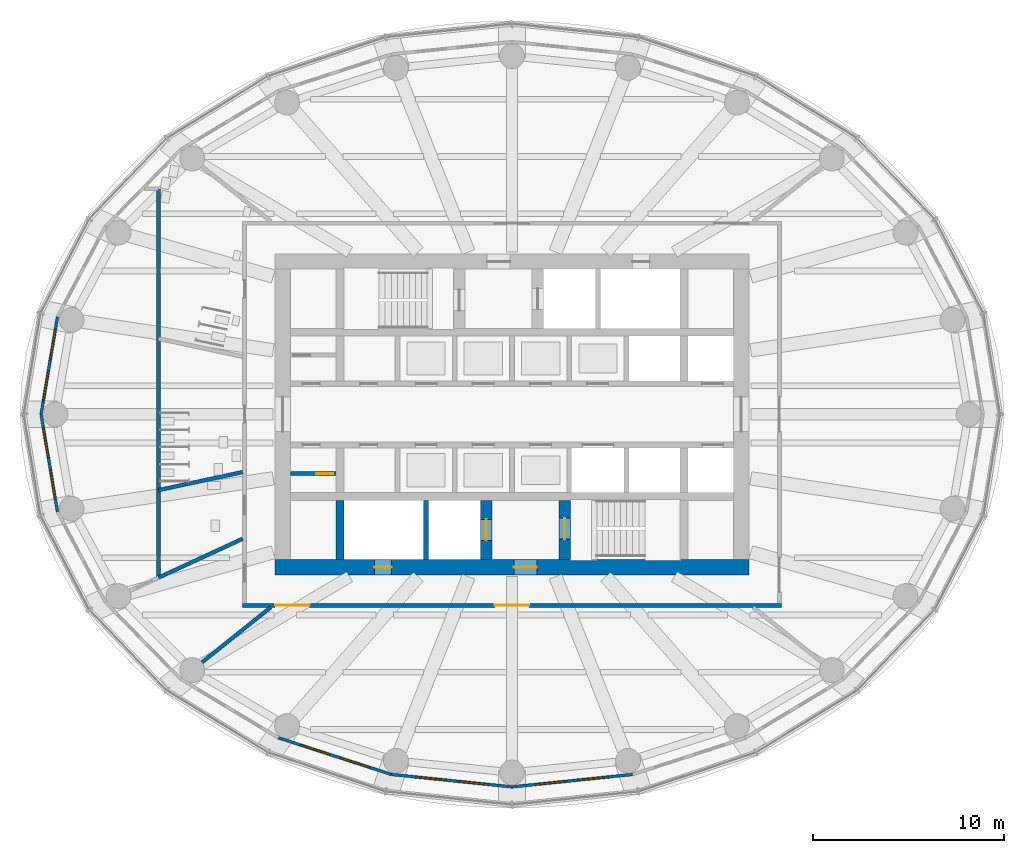
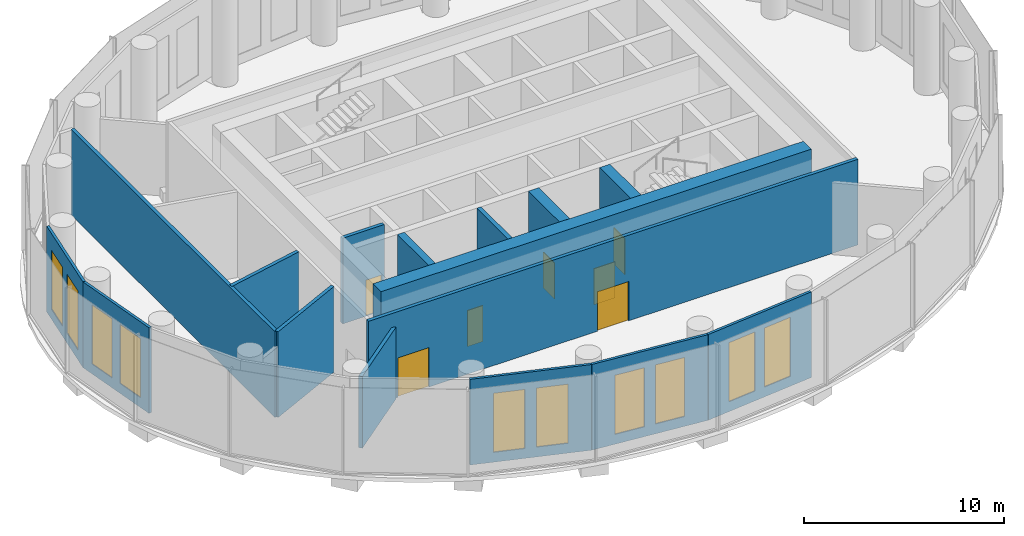
# One storey, part 5 of 13: 16 walls, 10 windows, 7 doors, 17 openings.
"""IFC4 building model written with IfcOpenShell, lengths in metres."""

from ifc_helpers import new_model, si_unit, direction, frame, frame_2d, origin, place, context, subcontext, project, spatial, rectangle, extrude, material, layer, layer_set, type_object, element, fill, save


model = new_model("IFC4")

# Units and contexts
model_context = context("Model", 3, precision=1e-05, world=origin(), true_north=direction((0.0, 1.0)))
body_context = subcontext(model_context, "Body", "Model", "MODEL_VIEW")
ifc_project = project(units=[si_unit("LENGTHUNIT", "METRE"), si_unit("AREAUNIT", "SQUARE_METRE"), si_unit("VOLUMEUNIT", "CUBIC_METRE"), si_unit("PLANEANGLEUNIT", "RADIAN"), si_unit("MASSUNIT", "GRAM", prefix="KILO")], contexts=[model_context])

# Site, building, storey
site_placement = place(None, origin())
site = spatial("IfcSite", under=ifc_project, at=site_placement, CompositionType="ELEMENT")
building_placement = place(site_placement, origin())
building = spatial("IfcBuilding", under=site, at=building_placement, Name="Hankou Lantern Tower", CompositionType="ELEMENT")
storey_placement = place(building_placement, frame((0.0, 0.0, 100.199951171875)))
storey = spatial("IfcBuildingStorey", under=building, at=storey_placement, Name="L25", CompositionType="ELEMENT", Elevation=100.199951171875)

# Wall, openings, doors
ifc_material_1 = material(Name="Concrete C60", Category="concrete")
ifc_layer_1 = layer(ifc_material_1, 0.800048828125)
ifc_layer_set_1 = layer_set([ifc_layer_1], Name="Concrete C60")
wall_type_1 = type_object("IfcWallType", Name="CW2 CORE WALL 800", PredefinedType="SHEAR", material=ifc_layer_set_1)
wall_1_placement = place(storey_placement, frame((12.39990234375, -8.0, 0.0), z_axis=(0.0, 0.0, 1.0), x_axis=(-1.0, 0.0, 0.0)))
wall_1 = element("IfcWall", 1, at=wall_1_placement, inside=storey, type_object=wall_type_1, Name="Core wall south L25", PredefinedType="SHEAR", context=body_context, shape_type="SweptSolid", body=[
    extrude(rectangle(XDim=24.7998046875, YDim=0.800048828125, at=frame_2d((12.39990234375, 0.0))), origin(), (0.0, 0.0, 1.0), 5.400146484375),
])
opening_1_placement = place(wall_1_placement, frame((11.10009765625, 0.0, 0.0)))
opening_1 = element("IfcOpeningElement", 2, at=opening_1_placement, cuts=wall_1, Name="Opening D5", PredefinedType="OPENING", context=body_context, shape_type="SweptSolid", body=[
    extrude(rectangle(XDim=1.199951171875, YDim=2.199951171875, at=frame_2d((0.60009765625, 1.10009765625))), frame((0.0, 0.409912109375, 0.0), z_axis=(0.0, -1.0, 0.0), x_axis=(1.0, 0.0, 0.0)), (0.0, 0.0, 1.0), 0.820068359375),
])
opening_2_placement = place(wall_1_placement, frame((18.699951171875, 0.0, 0.0)))
opening_2 = element("IfcOpeningElement", 3, at=opening_2_placement, cuts=wall_1, Name="Opening D7", PredefinedType="OPENING", context=body_context, shape_type="SweptSolid", body=[
    extrude(rectangle(XDim=0.89990234375, YDim=2.199951171875, at=frame_2d((0.449951171875, 1.10009765625))), frame((0.0, 0.409912109375, 0.0), z_axis=(0.0, -1.0, 0.0), x_axis=(1.0, 0.0, 0.0)), (0.0, 0.0, 1.0), 0.820068359375),
])
ifc_material_2 = material(Name="Steel door leaf", Category="steel")
door_type_1 = type_object("IfcDoorType", Name="D5 STAIR LOBBY DOOR 1200X2200", OperationType="SINGLE_SWING_LEFT", PredefinedType="DOOR", material=ifc_material_2)
door_1_placement = place(opening_1_placement, origin())
door_1 = element("IfcDoor", 4, at=door_1_placement, inside=storey, type_object=door_type_1, Name="Stair B lobby door", OperationType="SINGLE_SWING_LEFT", OverallHeight=2.199951171875, OverallWidth=1.199951171875, PredefinedType="DOOR", context=body_context, shape_type="SweptSolid", body=[
    extrude(rectangle(XDim=1.199951171875, YDim=2.199951171875, at=frame_2d((0.60009765625, 1.10009765625))), frame((0.0, 0.02490234375, 0.0), z_axis=(0.0, -1.0, 0.0), x_axis=(1.0, 0.0, 0.0)), (0.0, 0.0, 1.0), 0.050048828125),
])
fill(opening_1, door_1)
ifc_material_3 = material(Name="Steel door leaf", Category="steel")
door_type_2 = type_object("IfcDoorType", Name="D7 RISER DOOR 900X2200", OperationType="SINGLE_SWING_LEFT", PredefinedType="DOOR", material=ifc_material_3)
door_2_placement = place(opening_2_placement, origin())
door_2 = element("IfcDoor", 5, at=door_2_placement, inside=storey, type_object=door_type_2, Name="Riser S1 door", OperationType="SINGLE_SWING_RIGHT", OverallHeight=2.199951171875, OverallWidth=0.89990234375, PredefinedType="DOOR", context=body_context, shape_type="SweptSolid", body=[
    extrude(rectangle(XDim=0.89990234375, YDim=2.199951171875, at=frame_2d((0.449951171875, 1.10009765625))), frame((0.0, 0.02490234375, 0.0), z_axis=(0.0, -1.0, 0.0), x_axis=(1.0, 0.0, 0.0)), (0.0, 0.0, 1.0), 0.050048828125),
])
fill(opening_2, door_2)

# Wall
ifc_material_4 = material(Name="Concrete C60", Category="concrete")
ifc_layer_2 = layer(ifc_material_4, 0.39990234375)
ifc_layer_set_2 = layer_set([ifc_layer_2], Name="Concrete C60")
wall_type_2 = type_object("IfcWallType", Name="CW4 CORE CROSS WALL 400", PredefinedType="SHEAR", material=ifc_layer_set_2)
wall_2_placement = place(storey_placement, frame((-9.0, -7.60009765625, 0.0), z_axis=(0.0, 0.0, 1.0), x_axis=(0.0, 1.0, 0.0)))
element("IfcWall", 6, at=wall_2_placement, inside=storey, type_object=wall_type_2, Name="Core strip wall L25", PredefinedType="SHEAR", context=body_context, shape_type="SweptSolid", body=[
    extrude(rectangle(XDim=3.10009765625, YDim=0.39990234375, at=frame_2d((1.550048828125, 0.0))), origin(), (0.0, 0.0, 1.0), 5.400146484375),
])

# Wall, opening, door
ifc_material_5 = material(Name="Concrete C60", Category="concrete")
ifc_layer_3 = layer(ifc_material_5, 0.60009765625)
ifc_layer_set_3 = layer_set([ifc_layer_3], Name="Concrete C60")
wall_type_3 = type_object("IfcWallType", Name="CW6 STAIR AND SHAFT WALL 600", PredefinedType="SHEAR", material=ifc_layer_set_3)
wall_3_placement = place(storey_placement, frame((2.75, -7.60009765625, 0.0), z_axis=(0.0, 0.0, 1.0), x_axis=(0.0, 1.0, 0.0)))
wall_3 = element("IfcWall", 7, at=wall_3_placement, inside=storey, type_object=wall_type_3, Name="Stair wall L25", PredefinedType="SHEAR", context=body_context, shape_type="SweptSolid", body=[
    extrude(rectangle(XDim=3.10009765625, YDim=0.60009765625, at=frame_2d((1.550048828125, 0.0))), origin(), (0.0, 0.0, 1.0), 5.400146484375),
])
opening_3_placement = place(wall_3_placement, frame((1.074951171875, 0.0, 0.0)))
opening_3 = element("IfcOpeningElement", 8, at=opening_3_placement, cuts=wall_3, Name="Opening D4", PredefinedType="OPENING", context=body_context, shape_type="SweptSolid", body=[
    extrude(rectangle(XDim=1.10009765625, YDim=2.199951171875, at=frame_2d((0.550048828125, 1.10009765625))), frame((0.0, 0.31005859375, 0.0), z_axis=(0.0, -1.0, 0.0), x_axis=(1.0, 0.0, 0.0)), (0.0, 0.0, 1.0), 0.6201171875),
])
ifc_material_6 = material(Name="Steel door leaf", Category="steel")
door_type_3 = type_object("IfcDoorType", Name="D4 STAIR DOOR 1100X2200", OperationType="SINGLE_SWING_LEFT", PredefinedType="DOOR", material=ifc_material_6)
door_3_placement = place(opening_3_placement, origin())
door_3 = element("IfcDoor", 9, at=door_3_placement, inside=storey, type_object=door_type_3, Name="Stair B door", OperationType="SINGLE_SWING_RIGHT", OverallHeight=2.199951171875, OverallWidth=1.10009765625, PredefinedType="DOOR", context=body_context, shape_type="SweptSolid", body=[
    extrude(rectangle(XDim=1.10009765625, YDim=2.199951171875, at=frame_2d((0.550048828125, 1.10009765625))), frame((0.0, 0.02490234375, 0.0), z_axis=(0.0, -1.0, 0.0), x_axis=(1.0, 0.0, 0.0)), (0.0, 0.0, 1.0), 0.050048828125),
])
fill(opening_3, door_3)

wall_4_placement = place(storey_placement, frame((-1.35009765625, -7.60009765625, 0.0), z_axis=(0.0, 0.0, 1.0), x_axis=(0.0, 1.0, 0.0)))
wall_4 = element("IfcWall", 10, at=wall_4_placement, inside=storey, type_object=wall_type_3, Name="Firefighting lift shaft wall L25", PredefinedType="SHEAR", context=body_context, shape_type="SweptSolid", body=[
    extrude(rectangle(XDim=3.10009765625, YDim=0.60009765625, at=frame_2d((1.550048828125, 0.0))), origin(), (0.0, 0.0, 1.0), 5.400146484375),
])
opening_4_placement = place(wall_4_placement, frame((1.0, 0.0, 0.0)))
opening_4 = element("IfcOpeningElement", 11, at=opening_4_placement, cuts=wall_4, Name="Opening LD2", PredefinedType="OPENING", context=body_context, shape_type="SweptSolid", body=[
    extrude(rectangle(XDim=1.10009765625, YDim=2.199951171875, at=frame_2d((0.550048828125, 1.10009765625))), frame((0.0, 0.31005859375, 0.0), z_axis=(0.0, -1.0, 0.0), x_axis=(1.0, 0.0, 0.0)), (0.0, 0.0, 1.0), 0.6201171875),
])
ifc_material_7 = material(Name="Steel door leaf", Category="steel")
door_type_4 = type_object("IfcDoorType", Name="LD2 FIREFIGHTING LIFT LANDING DOOR 1100X2200", OperationType="DOUBLE_DOOR_SLIDING", PredefinedType="DOOR", material=ifc_material_7)
door_4_placement = place(opening_4_placement, origin())
door_4 = element("IfcDoor", 12, at=door_4_placement, inside=storey, type_object=door_type_4, Name="Firefighting lift FL2 landing door", OperationType="DOUBLE_DOOR_SLIDING", OverallHeight=2.199951171875, OverallWidth=1.10009765625, PredefinedType="DOOR", context=body_context, shape_type="SweptSolid", body=[
    extrude(rectangle(XDim=1.10009765625, YDim=2.199951171875, at=frame_2d((0.550048828125, 1.10009765625))), frame((0.0, 0.02490234375, 0.0), z_axis=(0.0, -1.0, 0.0), x_axis=(1.0, 0.0, 0.0)), (0.0, 0.0, 1.0), 0.050048828125),
])
fill(opening_4, door_4)

# Wall, openings, windows
ifc_material_8 = material(Name="Aluminium spandrel panel on steel studs", Category="steel")
ifc_layer_4 = layer(ifc_material_8, 0.14990234375)
ifc_layer_set_4 = layer_set([ifc_layer_4], Name="Aluminium spandrel panel on steel studs")
wall_type_4 = type_object("IfcWallType", Name="EW1 INNER SKIN WALL 150", PredefinedType="ELEMENTEDWALL", material=ifc_layer_set_4)
wall_5_placement = place(storey_placement, frame((-23.7919921875, 5.10009765625, 0.0), z_axis=(0.0, 0.0, 1.0), x_axis=(-0.165883894218, -0.986145290329, 0.0)))
wall_5 = element("IfcWall", 13, at=wall_5_placement, inside=storey, type_object=wall_type_4, Name="Inner skin R12-R13 L25", PredefinedType="ELEMENTEDWALL", context=body_context, shape_type="SweptSolid", body=[
    extrude(rectangle(XDim=5.171630859375, YDim=0.14990234375, at=frame_2d((2.5859375, 0.0))), origin(), (0.0, 0.0, 1.0), 5.219970703125),
])
opening_5_placement = place(wall_5_placement, frame((0.685791015625, 0.0, 0.60009765625)))
opening_5 = element("IfcOpeningElement", 14, at=opening_5_placement, cuts=wall_5, Name="Opening W6", PredefinedType="OPENING", context=body_context, shape_type="SweptSolid", body=[
    extrude(rectangle(XDim=1.60009765625, YDim=3.60009765625, at=frame_2d((0.800048828125, 1.800048828125))), frame((0.0, 0.0849609375, 0.0), z_axis=(0.0, -1.0, 0.0), x_axis=(1.0, 0.0, 0.0)), (0.0, 0.0, 1.0), 0.169921875),
])
opening_6_placement = place(wall_5_placement, frame((2.8857421875, 0.0, 0.60009765625)))
opening_6 = element("IfcOpeningElement", 15, at=opening_6_placement, cuts=wall_5, Name="Opening W6", PredefinedType="OPENING", context=body_context, shape_type="SweptSolid", body=[
    extrude(rectangle(XDim=1.60009765625, YDim=3.60009765625, at=frame_2d((0.800048828125, 1.800048828125))), frame((0.0, 0.0849609375, 0.0), z_axis=(0.0, -1.0, 0.0), x_axis=(1.0, 0.0, 0.0)), (0.0, 0.0, 1.0), 0.169921875),
])
ifc_material_9 = material(Name="Aluminium framed double glazed window", Category="aluminium")
window_type = type_object("IfcWindowType", Name="W6 SKY LOBBY WINDOW 1600X3600", PartitioningType="DOUBLE_PANEL_VERTICAL", PredefinedType="WINDOW", material=ifc_material_9)
window_1_placement = place(opening_5_placement, origin())
window_1 = element("IfcWindow", 16, at=window_1_placement, inside=storey, type_object=window_type, Name="Window R12.1 L25", OverallHeight=3.60009765625, OverallWidth=1.60009765625, PartitioningType="SINGLE_PANEL", PredefinedType="WINDOW", context=body_context, shape_type="SweptSolid", body=[
    extrude(rectangle(XDim=1.60009765625, YDim=3.60009765625, at=frame_2d((0.800048828125, 1.800048828125))), frame((0.0, 0.030029296875, 0.0), z_axis=(0.0, -1.0, 0.0), x_axis=(1.0, 0.0, 0.0)), (0.0, 0.0, 1.0), 0.06005859375),
])
fill(opening_5, window_1)
window_2_placement = place(opening_6_placement, origin())
window_2 = element("IfcWindow", 17, at=window_2_placement, inside=storey, type_object=window_type, Name="Window R12.2 L25", OverallHeight=3.60009765625, OverallWidth=1.60009765625, PartitioningType="SINGLE_PANEL", PredefinedType="WINDOW", context=body_context, shape_type="SweptSolid", body=[
    extrude(rectangle(XDim=1.60009765625, YDim=3.60009765625, at=frame_2d((0.800048828125, 1.800048828125))), frame((0.0, 0.030029296875, 0.0), z_axis=(0.0, -1.0, 0.0), x_axis=(1.0, 0.0, 0.0)), (0.0, 0.0, 1.0), 0.06005859375),
])
fill(opening_6, window_2)

wall_6_placement = place(storey_placement, frame((-24.64990234375, 0.0, 0.0), z_axis=(0.0, 0.0, 1.0), x_axis=(0.165883894218, -0.986145290329, 0.0)))
wall_6 = element("IfcWall", 18, at=wall_6_placement, inside=storey, type_object=wall_type_4, Name="Inner skin R13-R14 L25", PredefinedType="ELEMENTEDWALL", context=body_context, shape_type="SweptSolid", body=[
    extrude(rectangle(XDim=5.171630859375, YDim=0.14990234375, at=frame_2d((2.5859375, 0.0))), origin(), (0.0, 0.0, 1.0), 5.219970703125),
])
opening_7_placement = place(wall_6_placement, frame((0.685791015625, 0.0, 0.60009765625)))
opening_7 = element("IfcOpeningElement", 19, at=opening_7_placement, cuts=wall_6, Name="Opening W6", PredefinedType="OPENING", context=body_context, shape_type="SweptSolid", body=[
    extrude(rectangle(XDim=1.60009765625, YDim=3.60009765625, at=frame_2d((0.800048828125, 1.800048828125))), frame((0.0, 0.0849609375, 0.0), z_axis=(0.0, -1.0, 0.0), x_axis=(1.0, 0.0, 0.0)), (0.0, 0.0, 1.0), 0.169921875),
])
opening_8_placement = place(wall_6_placement, frame((2.8857421875, 0.0, 0.60009765625)))
opening_8 = element("IfcOpeningElement", 20, at=opening_8_placement, cuts=wall_6, Name="Opening W6", PredefinedType="OPENING", context=body_context, shape_type="SweptSolid", body=[
    extrude(rectangle(XDim=1.60009765625, YDim=3.60009765625, at=frame_2d((0.800048828125, 1.800048828125))), frame((0.0, 0.0849609375, 0.0), z_axis=(0.0, -1.0, 0.0), x_axis=(1.0, 0.0, 0.0)), (0.0, 0.0, 1.0), 0.169921875),
])
window_3_placement = place(opening_7_placement, origin())
window_3 = element("IfcWindow", 21, at=window_3_placement, inside=storey, type_object=window_type, Name="Window R13.1 L25", OverallHeight=3.60009765625, OverallWidth=1.60009765625, PartitioningType="SINGLE_PANEL", PredefinedType="WINDOW", context=body_context, shape_type="SweptSolid", body=[
    extrude(rectangle(XDim=1.60009765625, YDim=3.60009765625, at=frame_2d((0.800048828125, 1.800048828125))), frame((0.0, 0.030029296875, 0.0), z_axis=(0.0, -1.0, 0.0), x_axis=(1.0, 0.0, 0.0)), (0.0, 0.0, 1.0), 0.06005859375),
])
fill(opening_7, window_3)
window_4_placement = place(opening_8_placement, origin())
window_4 = element("IfcWindow", 22, at=window_4_placement, inside=storey, type_object=window_type, Name="Window R13.2 L25", OverallHeight=3.60009765625, OverallWidth=1.60009765625, PartitioningType="SINGLE_PANEL", PredefinedType="WINDOW", context=body_context, shape_type="SweptSolid", body=[
    extrude(rectangle(XDim=1.60009765625, YDim=3.60009765625, at=frame_2d((0.800048828125, 1.800048828125))), frame((0.0, 0.030029296875, 0.0), z_axis=(0.0, -1.0, 0.0), x_axis=(1.0, 0.0, 0.0)), (0.0, 0.0, 1.0), 0.06005859375),
])
fill(opening_8, window_4)

wall_7_placement = place(storey_placement, frame((-12.221435546875, -16.9345703125, 0.0), z_axis=(0.0, 0.0, 1.0), x_axis=(0.951272691506, -0.308350881944, 0.0)))
wall_7 = element("IfcWall", 23, at=wall_7_placement, inside=storey, type_object=wall_type_4, Name="Inner skin R17-R18 L25", PredefinedType="ELEMENTEDWALL", context=body_context, shape_type="SweptSolid", body=[
    extrude(rectangle(XDim=6.210693359375, YDim=0.14990234375, at=frame_2d((3.10546875, 0.0))), origin(), (0.0, 0.0, 1.0), 5.219970703125),
])
opening_9_placement = place(wall_7_placement, frame((1.205322265625, 0.0, 0.60009765625)))
opening_9 = element("IfcOpeningElement", 24, at=opening_9_placement, cuts=wall_7, Name="Opening W6", PredefinedType="OPENING", context=body_context, shape_type="SweptSolid", body=[
    extrude(rectangle(XDim=1.60009765625, YDim=3.60009765625, at=frame_2d((0.800048828125, 1.800048828125))), frame((0.0, 0.0849609375, 0.0), z_axis=(0.0, -1.0, 0.0), x_axis=(1.0, 0.0, 0.0)), (0.0, 0.0, 1.0), 0.169921875),
])
opening_10_placement = place(wall_7_placement, frame((3.4052734375, 0.0, 0.60009765625)))
opening_10 = element("IfcOpeningElement", 25, at=opening_10_placement, cuts=wall_7, Name="Opening W6", PredefinedType="OPENING", context=body_context, shape_type="SweptSolid", body=[
    extrude(rectangle(XDim=1.60009765625, YDim=3.60009765625, at=frame_2d((0.800048828125, 1.800048828125))), frame((0.0, 0.0849609375, 0.0), z_axis=(0.0, -1.0, 0.0), x_axis=(1.0, 0.0, 0.0)), (0.0, 0.0, 1.0), 0.169921875),
])
window_5_placement = place(opening_9_placement, origin())
window_5 = element("IfcWindow", 26, at=window_5_placement, inside=storey, type_object=window_type, Name="Window R17.1 L25", OverallHeight=3.60009765625, OverallWidth=1.60009765625, PartitioningType="SINGLE_PANEL", PredefinedType="WINDOW", context=body_context, shape_type="SweptSolid", body=[
    extrude(rectangle(XDim=1.60009765625, YDim=3.60009765625, at=frame_2d((0.800048828125, 1.800048828125))), frame((0.0, 0.030029296875, 0.0), z_axis=(0.0, -1.0, 0.0), x_axis=(1.0, 0.0, 0.0)), (0.0, 0.0, 1.0), 0.06005859375),
])
fill(opening_9, window_5)
window_6_placement = place(opening_10_placement, origin())
window_6 = element("IfcWindow", 27, at=window_6_placement, inside=storey, type_object=window_type, Name="Window R17.2 L25", OverallHeight=3.60009765625, OverallWidth=1.60009765625, PartitioningType="SINGLE_PANEL", PredefinedType="WINDOW", context=body_context, shape_type="SweptSolid", body=[
    extrude(rectangle(XDim=1.60009765625, YDim=3.60009765625, at=frame_2d((0.800048828125, 1.800048828125))), frame((0.0, 0.030029296875, 0.0), z_axis=(0.0, -1.0, 0.0), x_axis=(1.0, 0.0, 0.0)), (0.0, 0.0, 1.0), 0.06005859375),
])
fill(opening_10, window_6)

wall_8_placement = place(storey_placement, frame((-6.3134765625, -18.849609375, 0.0), z_axis=(0.0, 0.0, 1.0), x_axis=(0.994735690163, -0.102473931887, 0.0)))
wall_8 = element("IfcWall", 28, at=wall_8_placement, inside=storey, type_object=wall_type_4, Name="Inner skin R18-R19 L25", PredefinedType="ELEMENTEDWALL", context=body_context, shape_type="SweptSolid", body=[
    extrude(rectangle(XDim=6.346923828125, YDim=0.14990234375, at=frame_2d((3.17333984375, 0.0))), origin(), (0.0, 0.0, 1.0), 5.219970703125),
])
opening_11_placement = place(wall_8_placement, frame((1.2734375, 0.0, 0.60009765625)))
opening_11 = element("IfcOpeningElement", 29, at=opening_11_placement, cuts=wall_8, Name="Opening W6", PredefinedType="OPENING", context=body_context, shape_type="SweptSolid", body=[
    extrude(rectangle(XDim=1.60009765625, YDim=3.60009765625, at=frame_2d((0.800048828125, 1.800048828125))), frame((0.0, 0.0849609375, 0.0), z_axis=(0.0, -1.0, 0.0), x_axis=(1.0, 0.0, 0.0)), (0.0, 0.0, 1.0), 0.169921875),
])
opening_12_placement = place(wall_8_placement, frame((3.473388671875, 0.0, 0.60009765625)))
opening_12 = element("IfcOpeningElement", 30, at=opening_12_placement, cuts=wall_8, Name="Opening W6", PredefinedType="OPENING", context=body_context, shape_type="SweptSolid", body=[
    extrude(rectangle(XDim=1.60009765625, YDim=3.60009765625, at=frame_2d((0.800048828125, 1.800048828125))), frame((0.0, 0.0849609375, 0.0), z_axis=(0.0, -1.0, 0.0), x_axis=(1.0, 0.0, 0.0)), (0.0, 0.0, 1.0), 0.169921875),
])
window_7_placement = place(opening_11_placement, origin())
window_7 = element("IfcWindow", 31, at=window_7_placement, inside=storey, type_object=window_type, Name="Window R18.1 L25", OverallHeight=3.60009765625, OverallWidth=1.60009765625, PartitioningType="SINGLE_PANEL", PredefinedType="WINDOW", context=body_context, shape_type="SweptSolid", body=[
    extrude(rectangle(XDim=1.60009765625, YDim=3.60009765625, at=frame_2d((0.800048828125, 1.800048828125))), frame((0.0, 0.030029296875, 0.0), z_axis=(0.0, -1.0, 0.0), x_axis=(1.0, 0.0, 0.0)), (0.0, 0.0, 1.0), 0.06005859375),
])
fill(opening_11, window_7)
window_8_placement = place(opening_12_placement, origin())
window_8 = element("IfcWindow", 32, at=window_8_placement, inside=storey, type_object=window_type, Name="Window R18.2 L25", OverallHeight=3.60009765625, OverallWidth=1.60009765625, PartitioningType="SINGLE_PANEL", PredefinedType="WINDOW", context=body_context, shape_type="SweptSolid", body=[
    extrude(rectangle(XDim=1.60009765625, YDim=3.60009765625, at=frame_2d((0.800048828125, 1.800048828125))), frame((0.0, 0.030029296875, 0.0), z_axis=(0.0, -1.0, 0.0), x_axis=(1.0, 0.0, 0.0)), (0.0, 0.0, 1.0), 0.06005859375),
])
fill(opening_12, window_8)

wall_9_placement = place(storey_placement, frame((0.0, -19.5, 0.0), z_axis=(0.0, 0.0, 1.0), x_axis=(0.994735690163, 0.102473931887, 0.0)))
wall_9 = element("IfcWall", 33, at=wall_9_placement, inside=storey, type_object=wall_type_4, Name="Inner skin R19-R20 L25", PredefinedType="ELEMENTEDWALL", context=body_context, shape_type="SweptSolid", body=[
    extrude(rectangle(XDim=6.346923828125, YDim=0.14990234375, at=frame_2d((3.17333984375, 0.0))), origin(), (0.0, 0.0, 1.0), 5.219970703125),
])
opening_13_placement = place(wall_9_placement, frame((1.2734375, 0.0, 0.60009765625)))
opening_13 = element("IfcOpeningElement", 34, at=opening_13_placement, cuts=wall_9, Name="Opening W6", PredefinedType="OPENING", context=body_context, shape_type="SweptSolid", body=[
    extrude(rectangle(XDim=1.60009765625, YDim=3.60009765625, at=frame_2d((0.800048828125, 1.800048828125))), frame((0.0, 0.0849609375, 0.0), z_axis=(0.0, -1.0, 0.0), x_axis=(1.0, 0.0, 0.0)), (0.0, 0.0, 1.0), 0.169921875),
])
opening_14_placement = place(wall_9_placement, frame((3.473388671875, 0.0, 0.60009765625)))
opening_14 = element("IfcOpeningElement", 35, at=opening_14_placement, cuts=wall_9, Name="Opening W6", PredefinedType="OPENING", context=body_context, shape_type="SweptSolid", body=[
    extrude(rectangle(XDim=1.60009765625, YDim=3.60009765625, at=frame_2d((0.800048828125, 1.800048828125))), frame((0.0, 0.0849609375, 0.0), z_axis=(0.0, -1.0, 0.0), x_axis=(1.0, 0.0, 0.0)), (0.0, 0.0, 1.0), 0.169921875),
])
window_9_placement = place(opening_13_placement, origin())
window_9 = element("IfcWindow", 36, at=window_9_placement, inside=storey, type_object=window_type, Name="Window R19.1 L25", OverallHeight=3.60009765625, OverallWidth=1.60009765625, PartitioningType="SINGLE_PANEL", PredefinedType="WINDOW", context=body_context, shape_type="SweptSolid", body=[
    extrude(rectangle(XDim=1.60009765625, YDim=3.60009765625, at=frame_2d((0.800048828125, 1.800048828125))), frame((0.0, 0.030029296875, 0.0), z_axis=(0.0, -1.0, 0.0), x_axis=(1.0, 0.0, 0.0)), (0.0, 0.0, 1.0), 0.06005859375),
])
fill(opening_13, window_9)
window_10_placement = place(opening_14_placement, origin())
window_10 = element("IfcWindow", 37, at=window_10_placement, inside=storey, type_object=window_type, Name="Window R19.2 L25", OverallHeight=3.60009765625, OverallWidth=1.60009765625, PartitioningType="SINGLE_PANEL", PredefinedType="WINDOW", context=body_context, shape_type="SweptSolid", body=[
    extrude(rectangle(XDim=1.60009765625, YDim=3.60009765625, at=frame_2d((0.800048828125, 1.800048828125))), frame((0.0, 0.030029296875, 0.0), z_axis=(0.0, -1.0, 0.0), x_axis=(1.0, 0.0, 0.0)), (0.0, 0.0, 1.0), 0.06005859375),
])
fill(opening_14, window_10)

# Wall, openings, doors
ifc_material_10 = material(Name="Masonry lightweight concrete block", Category="masonry")
ifc_layer_5 = layer(ifc_material_10, 0.199951171875)
ifc_layer_set_5 = layer_set([ifc_layer_5], Name="Masonry lightweight concrete block")
wall_type_5 = type_object("IfcWallType", Name="IW2 CORRIDOR WALL 200", PredefinedType="PARTITIONING", material=ifc_layer_set_5)
wall_10_placement = place(storey_placement, frame((14.10009765625, -10.0, 0.0), z_axis=(0.0, 0.0, 1.0), x_axis=(-1.0, 0.0, 0.0)))
wall_10 = element("IfcWall", 38, at=wall_10_placement, inside=storey, type_object=wall_type_5, Name="Corridor wall south", PredefinedType="PARTITIONING", context=body_context, shape_type="SweptSolid", body=[
    extrude(rectangle(XDim=28.2001953125, YDim=0.199951171875, at=frame_2d((14.10009765625, 0.0))), origin(), (0.0, 0.0, 1.0), 5.219970703125),
])
opening_15_placement = place(wall_10_placement, frame((13.199951171875, 0.0, 0.0)))
opening_15 = element("IfcOpeningElement", 39, at=opening_15_placement, cuts=wall_10, Name="Opening D8", PredefinedType="OPENING", context=body_context, shape_type="SweptSolid", body=[
    extrude(rectangle(XDim=1.800048828125, YDim=2.39990234375, at=frame_2d((0.89990234375, 1.199951171875))), frame((0.0, 0.10986328125, 0.0), z_axis=(0.0, -1.0, 0.0), x_axis=(1.0, 0.0, 0.0)), (0.0, 0.0, 1.0), 0.219970703125),
])
opening_16_placement = place(wall_10_placement, frame((24.699951171875, 0.0, 0.0)))
opening_16 = element("IfcOpeningElement", 40, at=opening_16_placement, cuts=wall_10, Name="Opening D8", PredefinedType="OPENING", context=body_context, shape_type="SweptSolid", body=[
    extrude(rectangle(XDim=1.800048828125, YDim=2.39990234375, at=frame_2d((0.89990234375, 1.199951171875))), frame((0.0, 0.10986328125, 0.0), z_axis=(0.0, -1.0, 0.0), x_axis=(1.0, 0.0, 0.0)), (0.0, 0.0, 1.0), 0.219970703125),
])
ifc_material_11 = material(Name="Steel door leaf", Category="steel")
door_type_5 = type_object("IfcDoorType", Name="D8 DOUBLE DOOR 1800X2400", OperationType="DOUBLE_DOOR_DOUBLE_SWING", PredefinedType="DOOR", material=ifc_material_11)
door_5_placement = place(opening_15_placement, origin())
door_5 = element("IfcDoor", 41, at=door_5_placement, inside=storey, type_object=door_type_5, Name="Hotel reception and check-in door", OperationType="DOUBLE_DOOR_DOUBLE_SWING", OverallHeight=2.39990234375, OverallWidth=1.800048828125, PredefinedType="DOOR", context=body_context, shape_type="SweptSolid", body=[
    extrude(rectangle(XDim=1.800048828125, YDim=2.39990234375, at=frame_2d((0.89990234375, 1.199951171875))), frame((0.0, 0.02490234375, 0.0), z_axis=(0.0, -1.0, 0.0), x_axis=(1.0, 0.0, 0.0)), (0.0, 0.0, 1.0), 0.050048828125),
])
fill(opening_15, door_5)
door_6_placement = place(opening_16_placement, origin())
door_6 = element("IfcDoor", 42, at=door_6_placement, inside=storey, type_object=door_type_5, Name="Hotel reception and check-in second door", OperationType="DOUBLE_DOOR_DOUBLE_SWING", OverallHeight=2.39990234375, OverallWidth=1.800048828125, PredefinedType="DOOR", context=body_context, shape_type="SweptSolid", body=[
    extrude(rectangle(XDim=1.800048828125, YDim=2.39990234375, at=frame_2d((0.89990234375, 1.199951171875))), frame((0.0, 0.02490234375, 0.0), z_axis=(0.0, -1.0, 0.0), x_axis=(1.0, 0.0, 0.0)), (0.0, 0.0, 1.0), 0.050048828125),
])
fill(opening_16, door_6)

# Walls
ifc_material_12 = material(Name="Masonry lightweight concrete block", Category="masonry")
ifc_layer_6 = layer(ifc_material_12, 0.199951171875)
ifc_layer_set_6 = layer_set([ifc_layer_6], Name="Masonry lightweight concrete block")
wall_type_6 = type_object("IfcWallType", Name="IW8 PARTITION 200", PredefinedType="PARTITIONING", material=ifc_layer_set_6)
wall_11_placement = place(storey_placement, frame((-14.10009765625, -3.0224609375, 0.0), z_axis=(0.0, 0.0, 1.0), x_axis=(-0.977789708591, -0.209588372228, 0.0)))
element("IfcWall", 43, at=wall_11_placement, inside=storey, type_object=wall_type_6, Name="Partition R14", PredefinedType="PARTITIONING", context=body_context, shape_type="SweptSolid", body=[
    extrude(rectangle(XDim=4.499755859375, YDim=0.199951171875, at=frame_2d((2.25, 0.0))), origin(), (0.0, 0.0, 1.0), 5.219970703125),
])
wall_12_placement = place(storey_placement, frame((-14.10009765625, -6.512451171875, 0.0), z_axis=(0.0, 0.0, 1.0), x_axis=(-0.907841399505, -0.419313717095, 0.0)))
element("IfcWall", 44, at=wall_12_placement, inside=storey, type_object=wall_type_6, Name="Partition R15", PredefinedType="PARTITIONING", context=body_context, shape_type="SweptSolid", body=[
    extrude(rectangle(XDim=4.846435546875, YDim=0.199951171875, at=frame_2d((2.42333984375, 0.0))), origin(), (0.0, 0.0, 1.0), 5.219970703125),
])
wall_13_placement = place(storey_placement, frame((-12.625, -10.10009765625, 0.0), z_axis=(0.0, 0.0, 1.0), x_axis=(-0.780863644897, -0.624701503182, 0.0)))
element("IfcWall", 45, at=wall_13_placement, inside=storey, type_object=wall_type_6, Name="Partition R16", PredefinedType="PARTITIONING", context=body_context, shape_type="SweptSolid", body=[
    extrude(rectangle(XDim=4.612060546875, YDim=0.199951171875, at=frame_2d((2.30615234375, 0.0))), origin(), (0.0, 0.0, 1.0), 4.3701171875),
])

# Wall, opening, door
wall_14_placement = place(storey_placement, frame((-11.60009765625, -3.10009765625, 0.0), z_axis=(0.0, 0.0, 1.0), x_axis=(1.0, 0.0, 0.0)))
wall_14 = element("IfcWall", 46, at=wall_14_placement, inside=storey, type_object=wall_type_6, Name="Partition cleaner's store", PredefinedType="PARTITIONING", context=body_context, shape_type="SweptSolid", body=[
    extrude(rectangle(XDim=2.400146484375, YDim=0.199951171875, at=frame_2d((1.2001953125, 0.0))), origin(), (0.0, 0.0, 1.0), 5.219970703125),
])
opening_17_placement = place(wall_14_placement, frame((1.35009765625, 0.0, 0.0)))
opening_17 = element("IfcOpeningElement", 47, at=opening_17_placement, cuts=wall_14, Name="Opening D12", PredefinedType="OPENING", context=body_context, shape_type="SweptSolid", body=[
    extrude(rectangle(XDim=0.89990234375, YDim=2.199951171875, at=frame_2d((0.449951171875, 1.10009765625))), frame((0.0, 0.10986328125, 0.0), z_axis=(0.0, -1.0, 0.0), x_axis=(1.0, 0.0, 0.0)), (0.0, 0.0, 1.0), 0.219970703125),
])
ifc_material_13 = material(Name="Steel door leaf", Category="steel")
door_type_6 = type_object("IfcDoorType", Name="D12 STORE DOOR 900X2200", OperationType="SINGLE_SWING_LEFT", PredefinedType="DOOR", material=ifc_material_13)
door_7_placement = place(opening_17_placement, origin())
door_7 = element("IfcDoor", 48, at=door_7_placement, inside=storey, type_object=door_type_6, Name="Cleaning materials cupboard door", OperationType="SINGLE_SWING_RIGHT", OverallHeight=2.199951171875, OverallWidth=0.89990234375, PredefinedType="DOOR", context=body_context, shape_type="SweptSolid", body=[
    extrude(rectangle(XDim=0.89990234375, YDim=2.199951171875, at=frame_2d((0.449951171875, 1.10009765625))), frame((0.0, 0.02490234375, 0.0), z_axis=(0.0, -1.0, 0.0), x_axis=(1.0, 0.0, 0.0)), (0.0, 0.0, 1.0), 0.050048828125),
])
fill(opening_17, door_7)

# Walls
wall_15_placement = place(storey_placement, frame((-18.5, 11.80908203125, 0.0), z_axis=(0.0, 0.0, 1.0), x_axis=(0.0, -1.0, 0.0)))
element("IfcWall", 49, at=wall_15_placement, inside=storey, type_object=wall_type_6, Name="Partition behind the WCs", PredefinedType="PARTITIONING", context=body_context, shape_type="SweptSolid", body=[
    extrude(rectangle(XDim=20.353759765625, YDim=0.199951171875, at=frame_2d((10.1767578125, 0.0))), origin(), (0.0, 0.0, 1.0), 5.219970703125),
])
ifc_material_14 = material(Name="Masonry autoclaved aerated concrete block", Category="masonry")
ifc_layer_7 = layer(ifc_material_14, 0.25)
ifc_layer_set_7 = layer_set([ifc_layer_7], Name="Masonry autoclaved aerated concrete block")
wall_type_7 = type_object("IfcWallType", Name="SW1 SHAFT BLOCK WALL 250", PredefinedType="PARTITIONING", material=ifc_layer_set_7)
wall_16_placement = place(storey_placement, frame((-4.5, -7.60009765625, 0.0), z_axis=(0.0, 0.0, 1.0), x_axis=(0.0, 1.0, 0.0)))
element("IfcWall", 50, at=wall_16_placement, inside=storey, type_object=wall_type_7, Name="Riser wall L25", PredefinedType="PARTITIONING", context=body_context, shape_type="SweptSolid", body=[
    extrude(rectangle(XDim=3.10009765625, YDim=0.25, at=frame_2d((1.550048828125, 0.0))), origin(), (0.0, 0.0, 1.0), 5.400146484375),
])

save(model, "model.ifc")
